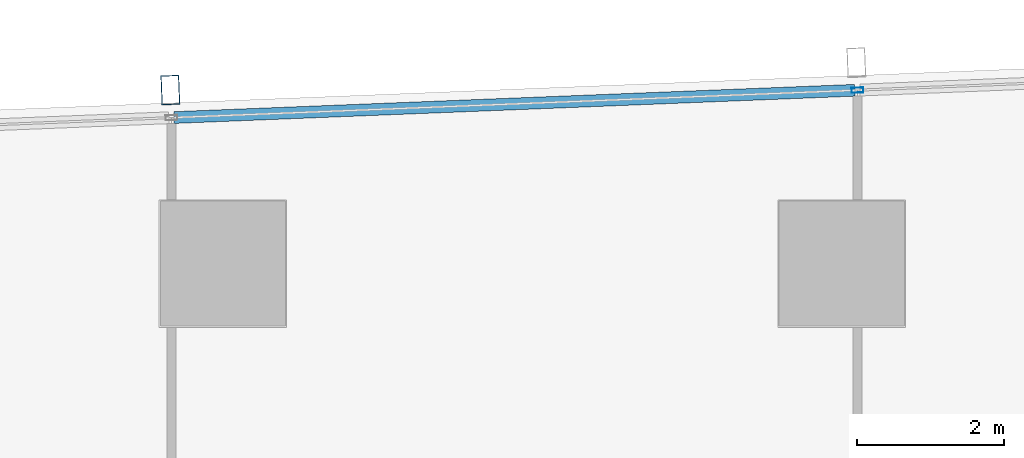
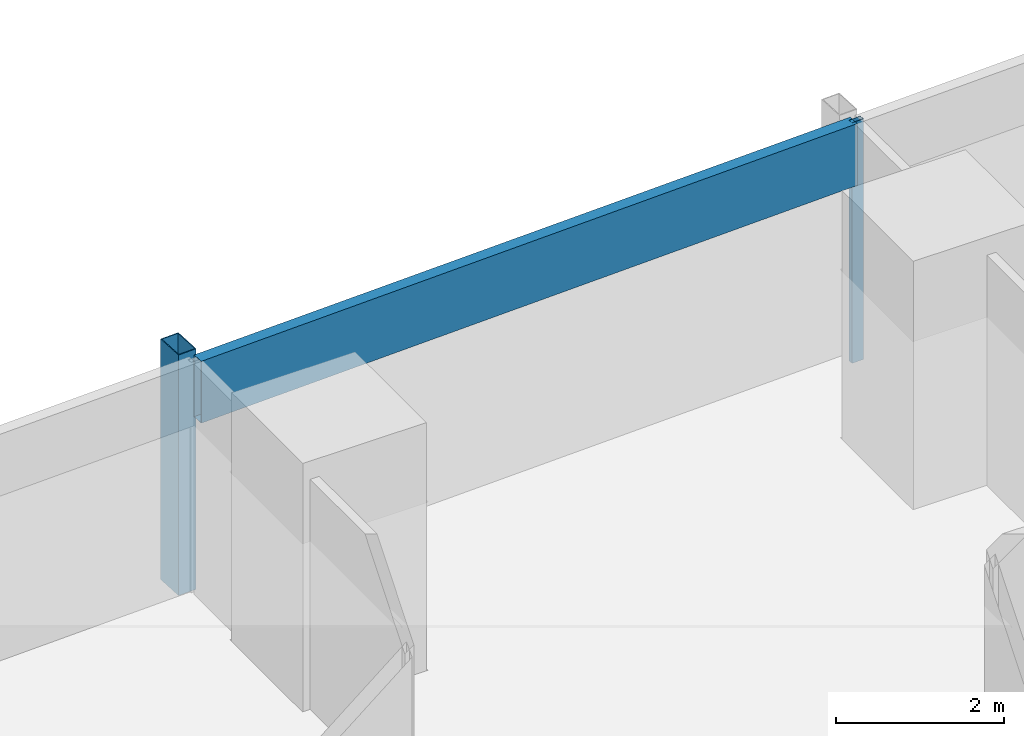
# One storey, part 16 of 40: 3 members, 1 element without a shape of its own.
"""IFC4 building model written with IfcOpenShell, lengths in metres."""

from ifc_helpers import new_model, si_unit, direction, frame, origin, origin_2d, place, context, subcontext, project, spatial, hollow_rectangle, extrude, material, material_profile, profile_set, type_object, element, aggregate, save


model = new_model("IFC4")

# Units and contexts
model_context = context("Model", 3, precision=1e-05, world=origin(), true_north=direction((0.0, 1.0)))
body_context = subcontext(model_context, "Body", "Model", "MODEL_VIEW")
ifc_project = project(units=[si_unit("LENGTHUNIT", "METRE"), si_unit("AREAUNIT", "SQUARE_METRE"), si_unit("VOLUMEUNIT", "CUBIC_METRE"), si_unit("PLANEANGLEUNIT", "RADIAN"), si_unit("MASSUNIT", "GRAM", prefix="KILO")], contexts=[model_context])

# Site, building, storey
site_placement = place(None, origin())
site = spatial("IfcSite", under=ifc_project, at=site_placement, CompositionType="ELEMENT")
building_placement = place(site_placement, origin())
building = spatial("IfcBuilding", under=site, at=building_placement, Name="Rekha Terrace Tower", CompositionType="ELEMENT")
storey_placement = place(building_placement, frame((0.0, 0.0, 132.800048828125)))
storey = spatial("IfcBuildingStorey", under=building, at=storey_placement, Name="L33", CompositionType="ELEMENT", Elevation=132.800048828125)

# Curtain wall, members
ifc_material_1 = material(Name="Aluminium framing", Category="aluminium")
curtain_wall_type = type_object("IfcCurtainWallType", Name="CW3 north unitised glazing", PredefinedType="USERDEFINED", material=ifc_material_1)
curtain_wall_placement = place(storey_placement, origin())
curtain_wall = element("IfcCurtainWall", 1, at=curtain_wall_placement, inside=storey, type_object=curtain_wall_type, Name="CW3 unitised curtain wall", ObjectType="UNITISED CURTAIN WALL", PredefinedType="USERDEFINED")
ifc_material_2 = material(Name="Steel S355 with fluorocarbon finish", Category="steel")
ifc_material_profile_1 = material_profile(ifc_material_2, hollow_rectangle(XDim=0.25, YDim=0.39990234375, WallThickness=0.012451171875, at=origin_2d()), Name="RHS400x250x12.5")
ifc_profile_set_1 = profile_set([ifc_material_profile_1], Name="Steel S355 with fluorocarbon finish")
member_type_1 = type_object("IfcMemberType", Name="BL1 facade blade RHS 400 x 250", PredefinedType="USERDEFINED", material=ifc_profile_set_1)
member_1_placement = place(storey_placement, frame((16.0869140625, 61.1552734375, 0.0), z_axis=(0.0, 0.0, 1.0), x_axis=(-0.999198382632, -0.040032388711, 0.0)))
member_1 = element("IfcMember", 2, at=member_1_placement, type_object=member_type_1, Name="Facade blade", ObjectType="FACADE BLADE", PredefinedType="USERDEFINED", context=body_context, shape_type="SweptSolid", body=[
    extrude(hollow_rectangle(XDim=0.25, YDim=0.39990234375, WallThickness=0.012451171875, at=origin_2d()), origin(), (0.0, 0.0, 1.0), 3.5),
])
ifc_material_3 = material(Name="Aluminium mullion section", Category="aluminium")
ifc_material_profile_2 = material_profile(ifc_material_3, hollow_rectangle(XDim=0.070068359375, YDim=0.159912109375, WallThickness=0.00390625, at=origin_2d()), Name="AL RHS 70x160")
ifc_profile_set_2 = profile_set([ifc_material_profile_2], Name="Aluminium mullion section")
member_type_2 = type_object("IfcMemberType", Name="CW3 mullion RHS 70 x 160", PredefinedType="MULLION", material=ifc_profile_set_2)
member_2_placement = place(storey_placement, frame((25.413818359375, 61.153564453125, 0.0), z_axis=(0.0, 0.0, 1.0), x_axis=(0.040031987119, -0.999198398721, 0.0)))
member_2 = element("IfcMember", 3, at=member_2_placement, type_object=member_type_2, Name="CW3 mullion 3", PredefinedType="MULLION", context=body_context, shape_type="SweptSolid", body=[
    extrude(hollow_rectangle(XDim=0.070068359375, YDim=0.159912109375, WallThickness=0.00390625, at=origin_2d()), origin(), (0.0, 0.0, 1.0), 3.5),
])
ifc_material_4 = material(Name="Insulated aluminium spandrel box", Category="aluminium")
ifc_material_profile_3 = material_profile(ifc_material_4, hollow_rectangle(XDim=0.159912109375, YDim=0.89990234375, WallThickness=0.0029296875, at=origin_2d()), Name="AL SPANDREL BOX 160x900")
ifc_profile_set_3 = profile_set([ifc_material_profile_3], Name="Insulated aluminium spandrel box")
member_type_3 = type_object("IfcMemberType", Name="CW3 spandrel transom 160 x 900", PredefinedType="USERDEFINED", material=ifc_profile_set_3)
member_3_placement = place(storey_placement, frame((25.37890625, 61.152099609375, 3.050048828125), z_axis=(-0.999199102424, -0.040014418831, 0.0), x_axis=(0.040014418831, -0.999199102424, 0.0)))
member_3 = element("IfcMember", 4, at=member_3_placement, type_object=member_type_3, Name="CW3 spandrel transom 3", ObjectType="TRANSOM", PredefinedType="USERDEFINED", context=body_context, shape_type="SweptSolid", body=[
    extrude(hollow_rectangle(XDim=0.159912109375, YDim=0.89990234375, WallThickness=0.0029296875, at=origin_2d()), origin(), (0.0, 0.0, 1.0), 9.24951171875),
])
aggregate(curtain_wall, [member_2, member_3, member_1])

save(model, "model.ifc")
